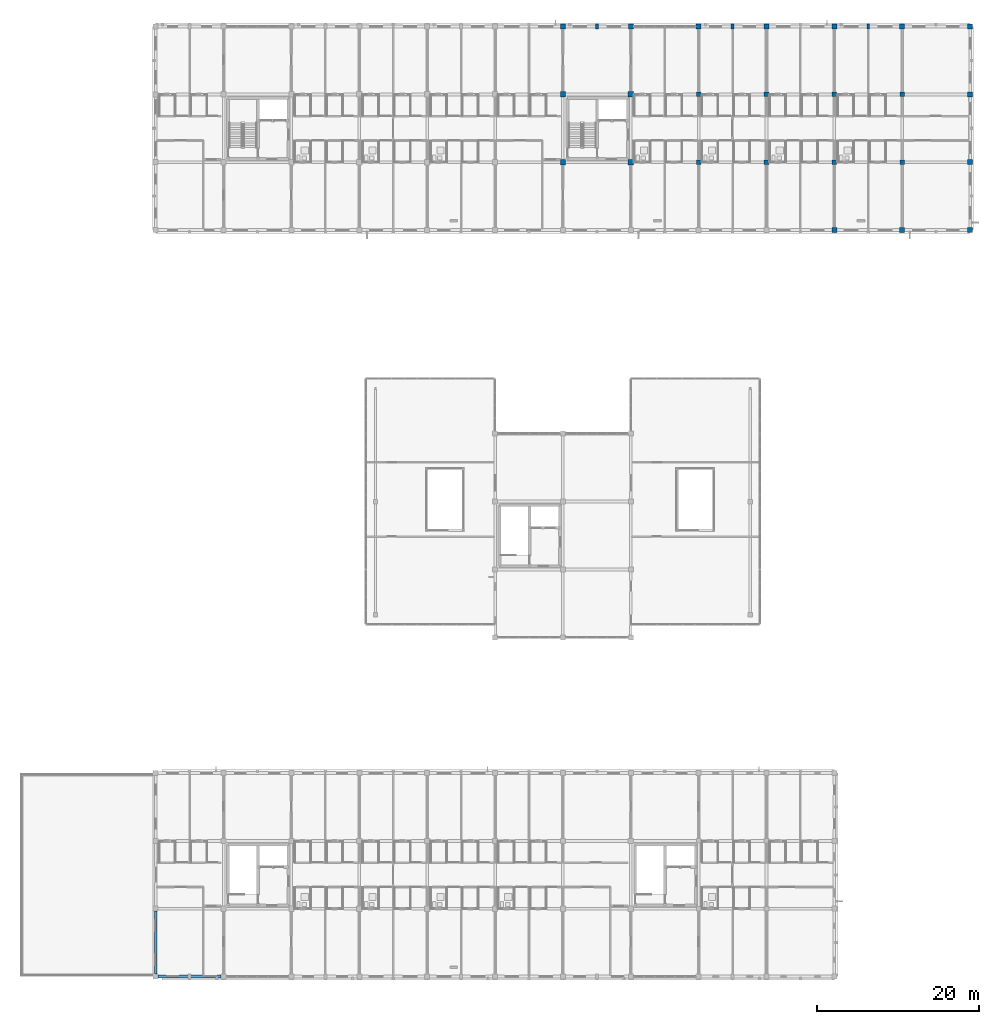
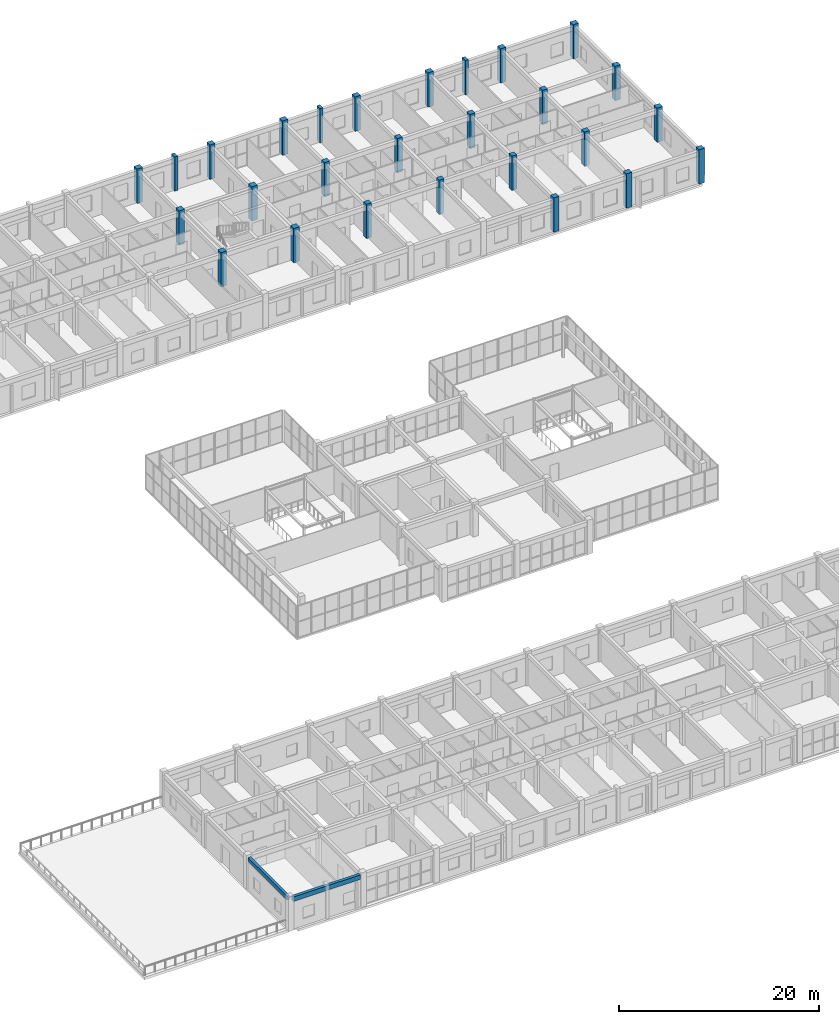
# One storey, part 9 of 81: 27 columns, 2 beams.
"""IFC4 building model written with IfcOpenShell, lengths in metres."""

from ifc_helpers import new_model, si_unit, direction, frame, origin, origin_2d, place, context, subcontext, project, spatial, rectangle, extrude, material, material_profile, profile_set, type_object, element, save


model = new_model("IFC4")

# Units and contexts
model_context = context("Model", 3, precision=1e-05, world=origin(), true_north=direction((0.0, 1.0)))
body_context = subcontext(model_context, "Body", "Model", "MODEL_VIEW")
ifc_project = project(units=[si_unit("LENGTHUNIT", "METRE"), si_unit("AREAUNIT", "SQUARE_METRE"), si_unit("VOLUMEUNIT", "CUBIC_METRE"), si_unit("PLANEANGLEUNIT", "RADIAN"), si_unit("MASSUNIT", "GRAM", prefix="KILO")], contexts=[model_context])

# Site, building, storey
site_placement = place(None, origin())
site = spatial("IfcSite", under=ifc_project, at=site_placement, CompositionType="ELEMENT")
building_placement = place(site_placement, origin())
building = spatial("IfcBuilding", under=site, at=building_placement, Name="Trelvath General Hospital", CompositionType="ELEMENT")
storey_placement = place(building_placement, frame((0.0, 0.0, 24.60009765625)))
storey = spatial("IfcBuildingStorey", under=building, at=storey_placement, Name="L06", CompositionType="ELEMENT", Elevation=24.60009765625)

# Columns
ifc_material_1 = material(Name="Concrete C40/50", Category="concrete")
ifc_material_profile_1 = material_profile(ifc_material_1, rectangle(XDim=0.580078125, YDim=0.580078125, at=origin_2d()), Name="RC580x580")
ifc_profile_set_1 = profile_set([ifc_material_profile_1], Name="Concrete C40/50")
column_type_1 = type_object("IfcColumnType", Name="Column RC580", PredefinedType="COLUMN", material=ifc_profile_set_1)
for number, where, z_axis, x_axis, name in (
    (1, (100.800048828125, 100.800048828125, 0.0), (0.0, 0.0, 1.0), (1.0, 0.0, 0.0), "Column C-13M L06"),
    (2, (100.800048828125, 109.199951171875, 0.0), (0.0, 0.0, 1.0), (1.0, 0.0, 0.0), "Column C-13N L06"),
    (3, (109.199951171875, 100.800048828125, 0.0), (0.0, 0.0, 1.0), (1.0, 0.0, 0.0), "Column C-14M L06"),
    (4, (109.199951171875, 109.199951171875, 0.0), (0.0, 0.0, 1.0), (1.0, 0.0, 0.0), "Column C-14N L06"),
    (5, (117.60009765625, 100.800048828125, 0.0), (0.0, 0.0, 1.0), (1.0, 0.0, 0.0), "Column C-15M L06"),
    (6, (117.60009765625, 109.199951171875, 0.0), (0.0, 0.0, 1.0), (1.0, 0.0, 0.0), "Column C-15N L06"),
    (7, (126.0, 100.800048828125, 0.0), (0.0, 0.0, 1.0), (1.0, 0.0, 0.0), "Column C-16M L06"),
    (8, (126.0, 109.199951171875, 0.0), (0.0, 0.0, 1.0), (1.0, 0.0, 0.0), "Column C-16N L06"),
):
    element("IfcColumn", number, at=place(storey_placement, frame(where, z_axis=z_axis, x_axis=x_axis)), inside=storey, type_object=column_type_1, Name=name, PredefinedType="COLUMN", context=body_context, shape_type="SweptSolid", body=[
        extrude(rectangle(XDim=0.580078125, YDim=0.580078125, at=origin_2d()), origin(), (0.0, 0.0, 1.0), 4.199951171875),
    ])
ifc_material_2 = material(Name="Concrete C40/50", Category="concrete")
ifc_material_profile_2 = material_profile(ifc_material_2, rectangle(XDim=0.6201171875, YDim=0.6201171875, at=origin_2d()), Name="RC620x620")
ifc_profile_set_2 = profile_set([ifc_material_profile_2], Name="Concrete C40/50")
column_type_2 = type_object("IfcColumnType", Name="Column RC620", PredefinedType="COLUMN", material=ifc_profile_set_2)
for number, where, z_axis, x_axis, name in (
    (9, (84.0, 117.60009765625, 0.0), (0.0, 0.0, 1.0), (1.0, 0.0, 0.0), "Column C-11O L06"),
    (10, (92.39990234375, 117.60009765625, 0.0), (0.0, 0.0, 1.0), (1.0, 0.0, 0.0), "Column C-12O L06"),
    (11, (100.800048828125, 117.60009765625, 0.0), (0.0, 0.0, 1.0), (1.0, 0.0, 0.0), "Column C-13O L06"),
    (12, (109.199951171875, 117.60009765625, 0.0), (0.0, 0.0, 1.0), (1.0, 0.0, 0.0), "Column C-14O L06"),
    (13, (117.60009765625, 92.39990234375, 0.0), (0.0, 0.0, 1.0), (1.0, 0.0, 0.0), "Column C-15L L06"),
    (14, (117.60009765625, 117.60009765625, 0.0), (0.0, 0.0, 1.0), (1.0, 0.0, 0.0), "Column C-15O L06"),
    (15, (126.0, 92.39990234375, 0.0), (0.0, 0.0, 1.0), (1.0, 0.0, 0.0), "Column C-16L L06"),
    (16, (126.0, 117.60009765625, 0.0), (0.0, 0.0, 1.0), (1.0, 0.0, 0.0), "Column C-16O L06"),
    (17, (134.39990234375, 92.39990234375, 0.0), (0.0, 0.0, 1.0), (1.0, 0.0, 0.0), "Column C-17L L06"),
    (18, (134.39990234375, 100.800048828125, 0.0), (0.0, 0.0, 1.0), (1.0, 0.0, 0.0), "Column C-17M L06"),
    (19, (134.39990234375, 109.199951171875, 0.0), (0.0, 0.0, 1.0), (1.0, 0.0, 0.0), "Column C-17N L06"),
    (20, (134.39990234375, 117.60009765625, 0.0), (0.0, 0.0, 1.0), (1.0, 0.0, 0.0), "Column C-17O L06"),
):
    element("IfcColumn", number, at=place(storey_placement, frame(where, z_axis=z_axis, x_axis=x_axis)), inside=storey, type_object=column_type_2, Name=name, PredefinedType="COLUMN", context=body_context, shape_type="SweptSolid", body=[
        extrude(rectangle(XDim=0.6201171875, YDim=0.6201171875, at=origin_2d()), origin(), (0.0, 0.0, 1.0), 4.199951171875),
    ])
ifc_material_3 = material(Name="Concrete C40/50", Category="concrete")
ifc_material_profile_3 = material_profile(ifc_material_3, rectangle(XDim=0.64990234375, YDim=0.64990234375, at=origin_2d()), Name="RC650x650")
ifc_profile_set_3 = profile_set([ifc_material_profile_3], Name="Concrete C40/50")
column_type_3 = type_object("IfcColumnType", Name="Column RC650", PredefinedType="COLUMN", material=ifc_profile_set_3)
for number, where, z_axis, x_axis, name in (
    (21, (84.0, 100.800048828125, 0.0), (0.0, 0.0, 1.0), (1.0, 0.0, 0.0), "Column C-11M L06"),
    (22, (84.0, 109.199951171875, 0.0), (0.0, 0.0, 1.0), (1.0, 0.0, 0.0), "Column C-11N L06"),
    (23, (92.39990234375, 100.800048828125, 0.0), (0.0, 0.0, 1.0), (1.0, 0.0, 0.0), "Column C-12M L06"),
    (24, (92.39990234375, 109.199951171875, 0.0), (0.0, 0.0, 1.0), (1.0, 0.0, 0.0), "Column C-12N L06"),
):
    element("IfcColumn", number, at=place(storey_placement, frame(where, z_axis=z_axis, x_axis=x_axis)), inside=storey, type_object=column_type_3, Name=name, PredefinedType="COLUMN", context=body_context, shape_type="SweptSolid", body=[
        extrude(rectangle(XDim=0.64990234375, YDim=0.64990234375, at=origin_2d()), origin(), (0.0, 0.0, 1.0), 4.199951171875),
    ])
ifc_material_4 = material(Name="Concrete C40/50", Category="concrete")
ifc_material_profile_4 = material_profile(ifc_material_4, rectangle(XDim=0.35009765625, YDim=0.64990234375, at=origin_2d()), Name="RC350x650")
ifc_profile_set_4 = profile_set([ifc_material_profile_4], Name="Concrete C40/50")
column_type_4 = type_object("IfcColumnType", Name="Pilaster RC350x650", PredefinedType="PILASTER", material=ifc_profile_set_4)
for number, where, z_axis, x_axis, name in (
    (25, (88.199951171875, 117.60009765625, 0.0), (0.0, 0.0, 1.0), (1.0, 0.0, 0.0), "Facade Pilaster PL-N10 L06"),
    (26, (105.0, 117.60009765625, 0.0), (0.0, 0.0, 1.0), (1.0, 0.0, 0.0), "Facade Pilaster PL-N12 L06"),
    (27, (121.800048828125, 117.60009765625, 0.0), (0.0, 0.0, 1.0), (1.0, 0.0, 0.0), "Facade Pilaster PL-N14 L06"),
):
    element("IfcColumn", number, at=place(storey_placement, frame(where, z_axis=z_axis, x_axis=x_axis)), inside=storey, type_object=column_type_4, Name=name, PredefinedType="PILASTER", context=body_context, shape_type="SweptSolid", body=[
        extrude(rectangle(XDim=0.35009765625, YDim=0.64990234375, at=origin_2d()), origin(), (0.0, 0.0, 1.0), 4.199951171875),
    ])

# Beams
ifc_material_5 = material(Name="Concrete C35/45", Category="concrete")
ifc_material_profile_5 = material_profile(ifc_material_5, rectangle(XDim=0.320068359375, YDim=0.47998046875, at=origin_2d()), Name="RCB320x480")
ifc_profile_set_5 = profile_set([ifc_material_profile_5], Name="Concrete C35/45")
beam_type_1 = type_object("IfcBeamType", Name="Beam RC320x480", PredefinedType="BEAM", material=ifc_profile_set_5)
beam_1_placement = place(storey_placement, frame((33.60009765625, 0.304931640625, 3.679931640625), z_axis=(0.0, 1.0, 0.0), x_axis=(-1.0, 0.0, 0.0)))
element("IfcBeam", 28, at=beam_1_placement, inside=storey, type_object=beam_type_1, Name="Grid Beam BY-604A", PredefinedType="BEAM", context=body_context, shape_type="SweptSolid", body=[
    extrude(rectangle(XDim=0.320068359375, YDim=0.47998046875, at=origin_2d()), origin(), (0.0, 0.0, 1.0), 7.7900390625),
])
ifc_material_6 = material(Name="Concrete C35/45", Category="concrete")
ifc_material_profile_6 = material_profile(ifc_material_6, rectangle(XDim=0.35009765625, YDim=0.550048828125, at=origin_2d()), Name="RCB350x550")
ifc_profile_set_6 = profile_set([ifc_material_profile_6], Name="Concrete C35/45")
beam_type_2 = type_object("IfcBeamType", Name="Beam RC350x550", PredefinedType="BEAM", material=ifc_profile_set_6)
beam_2_placement = place(storey_placement, frame((33.905029296875, 0.0, 3.64501953125), z_axis=(1.0, 0.0, 0.0), x_axis=(0.0, 1.0, 0.0)))
element("IfcBeam", 29, at=beam_2_placement, inside=storey, type_object=beam_type_2, Name="Grid Beam BX-604A", PredefinedType="BEAM", context=body_context, shape_type="SweptSolid", body=[
    extrude(rectangle(XDim=0.35009765625, YDim=0.550048828125, at=origin_2d()), origin(), (0.0, 0.0, 1.0), 7.7900390625),
])

save(model, "model.ifc")
